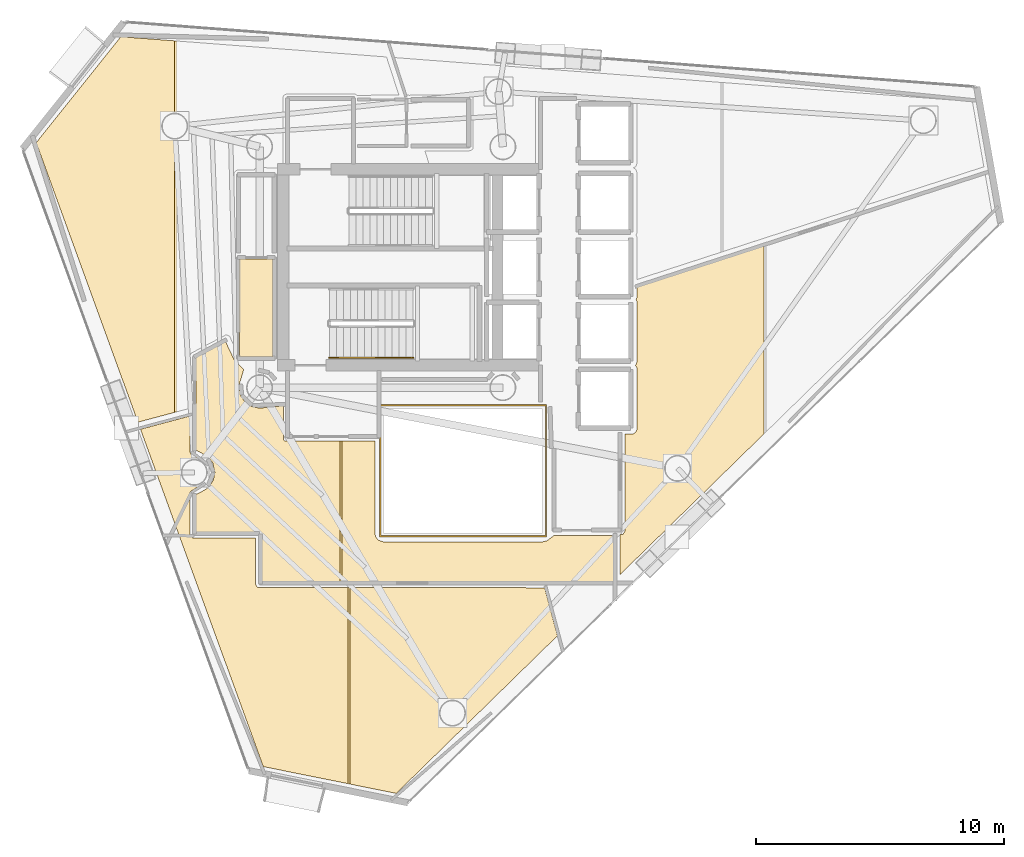
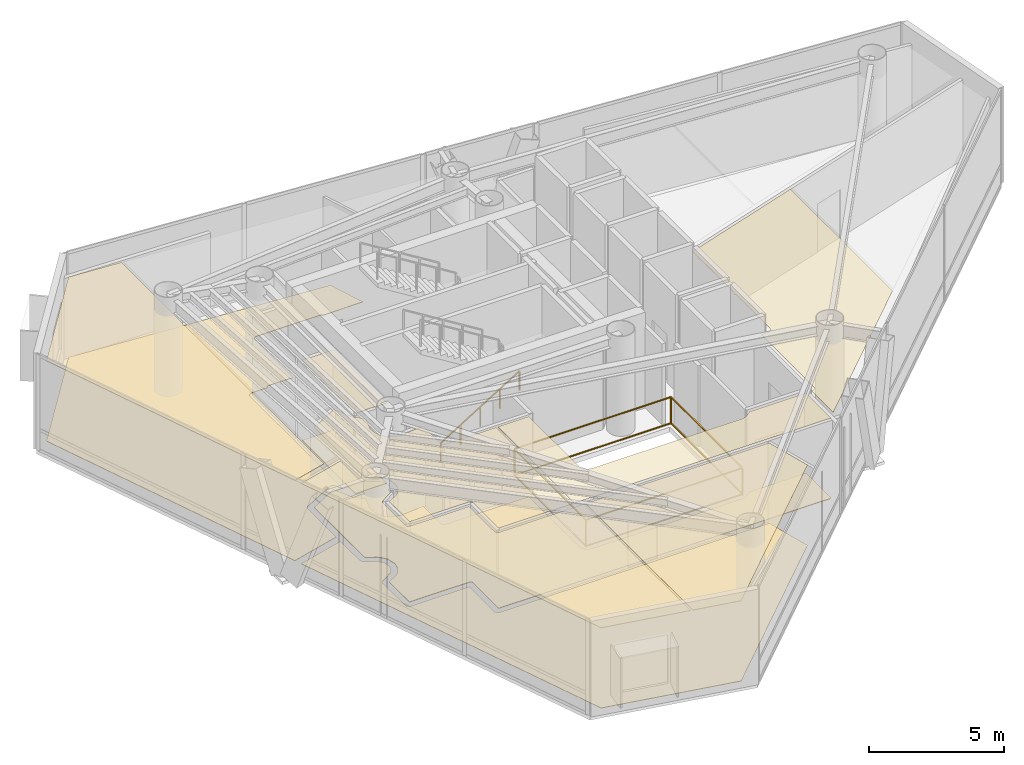
# One storey, part 20 of 21: 11 coverings, 2 railings.
"""IFC4 building model written with IfcOpenShell, lengths in metres."""

from ifc_helpers import new_model, si_unit, direction, frame, origin, origin_2d, place, context, subcontext, project, spatial, polyline, rectangle, outline, extrude, material, layer, layer_set, type_object, element, save


model = new_model("IFC4")

# Units and contexts
model_context = context("Model", 3, precision=1e-05, world=origin(), true_north=direction((0.0, 1.0)))
body_context = subcontext(model_context, "Body", "Model", "MODEL_VIEW")
ifc_project = project(units=[si_unit("LENGTHUNIT", "METRE"), si_unit("AREAUNIT", "SQUARE_METRE"), si_unit("VOLUMEUNIT", "CUBIC_METRE"), si_unit("PLANEANGLEUNIT", "RADIAN"), si_unit("MASSUNIT", "GRAM", prefix="KILO")], contexts=[model_context])

# Site, building, storey
site_placement = place(None, origin())
site = spatial("IfcSite", under=ifc_project, at=site_placement, CompositionType="ELEMENT")
building_placement = place(site_placement, origin())
building = spatial("IfcBuilding", under=site, at=building_placement, Name="Qianvela Tower", CompositionType="ELEMENT")
storey_placement = place(building_placement, frame((0.0, 0.0, 234.5)))
storey = spatial("IfcBuildingStorey", under=building, at=storey_placement, Name="L60", CompositionType="ELEMENT", Elevation=234.5)

# Coverings
ifc_material_1 = material(Name="Perforated Mineral Acoustic Ceiling Tile")
ifc_layer_1 = layer(ifc_material_1, 0.02490234375)
ifc_layer_set_1 = layer_set([ifc_layer_1], Name="Perforated Mineral Acoustic Ceiling Tile")
covering_type_1 = type_object("IfcCoveringType", Name="COV-CEIL-ACOUSTIC-25", PredefinedType="CEILING", material=ifc_layer_set_1)
covering_1_placement = place(storey_placement, frame((0.0, 0.0, 3.614990234375)))
element("IfcCovering", 1, at=covering_1_placement, inside=storey, type_object=covering_type_1, Name="L60 Acoustic Ceiling L60 Core Tea Pantry West", PredefinedType="CEILING", context=body_context, shape_type="SweptSolid", body=[
    extrude(outline(polyline([(27.800048828125, 25.080078125), (27.800048828125, 29.0400390625), (29.139892578125, 29.0400390625), (29.139892578125, 25.080078125), (27.800048828125, 25.080078125)])), origin(), (0.0, 0.0, 1.0), 0.02490234375),
])
covering_2_placement = place(storey_placement, frame((0.0, 0.0, 3.614990234375)))
element("IfcCovering", 2, at=covering_2_placement, inside=storey, type_object=covering_type_1, Name="L60 Acoustic Ceiling Bay 1 L60 Sky Lobby Gallery Corridor", PredefinedType="CEILING", context=body_context, shape_type="SweptSolid", body=[
    extrude(outline(polyline([(27.791015625, 24.010986328125), (27.789794921875, 24.003173828125), (27.775390625, 23.85791015625), (27.77490234375, 23.85009765625), (27.775390625, 23.84228515625), (27.776611328125, 23.83447265625), (27.833251953125, 23.54931640625), (27.835205078125, 23.541748046875), (27.837890625, 23.5341796875), (27.84130859375, 23.527099609375), (27.84521484375, 23.5205078125), (28.006591796875, 23.27880859375), (28.011474609375, 23.2724609375), (28.0166015625, 23.2666015625), (28.0224609375, 23.261474609375), (28.02880859375, 23.256591796875), (28.2705078125, 23.09521484375), (28.277099609375, 23.09130859375), (28.2841796875, 23.087890625), (28.291748046875, 23.085205078125), (28.29931640625, 23.083251953125), (28.58447265625, 23.026611328125), (28.59228515625, 23.025390625), (28.60009765625, 23.02490234375), (28.60791015625, 23.025390625), (29.55810546875, 23.118896484375), (29.55810546875, 21.780029296875), (29.558349609375, 21.772216796875), (29.5595703125, 21.764404296875), (29.561279296875, 21.7568359375), (29.564208984375, 21.74951171875), (29.5673828125, 21.7421875), (29.571533203125, 21.735595703125), (29.576171875, 21.729248046875), (29.581298828125, 21.723388671875), (29.587158203125, 21.71826171875), (29.593505859375, 21.71337890625), (29.600341796875, 21.70947265625), (29.607421875, 21.7060546875), (29.61474609375, 21.703369140625), (29.622314453125, 21.701416015625), (29.630126953125, 21.700439453125), (29.637939453125, 21.699951171875), (31.835693359375, 21.699951171875), (31.835693359375, 16.030029296875), (28.679931640625, 16.030029296875), (28.679931640625, 17.949951171875), (28.6796875, 17.957763671875), (28.678466796875, 17.965576171875), (28.676513671875, 17.97314453125), (28.673828125, 17.980712890625), (28.670654296875, 17.98779296875), (28.66650390625, 17.994384765625), (28.661865234375, 18.000732421875), (28.656494140625, 18.006591796875), (28.65087890625, 18.01171875), (28.644287109375, 18.0166015625), (28.6376953125, 18.0205078125), (28.630615234375, 18.02392578125), (28.623291015625, 18.026611328125), (28.615478515625, 18.028564453125), (28.60791015625, 18.029541015625), (28.60009765625, 18.030029296875), (26.030029296875, 18.030029296875), (26.030029296875, 19.53662109375), (26.423583984375, 19.7470703125), (26.430419921875, 19.7509765625), (26.436767578125, 19.755615234375), (26.549560546875, 19.848388671875), (26.555419921875, 19.853515625), (26.560546875, 19.859619140625), (26.565185546875, 19.86572265625), (26.726806640625, 20.107421875), (26.730712890625, 20.1142578125), (26.734130859375, 20.121337890625), (26.73681640625, 20.128662109375), (26.73876953125, 20.13623046875), (26.79541015625, 20.42138671875), (26.796630859375, 20.4296875), (26.797119140625, 20.437744140625), (26.79638671875, 20.446044921875), (26.795166015625, 20.4541015625), (26.716796875, 20.810546875), (26.71484375, 20.81787109375), (26.712158203125, 20.82470703125), (26.708984375, 20.83154296875), (26.705078125, 20.838134765625), (26.700439453125, 20.843994140625), (26.560546875, 21.014404296875), (26.555419921875, 21.0205078125), (26.549560546875, 21.025634765625), (26.436767578125, 21.118408203125), (26.430419921875, 21.123046875), (26.423583984375, 21.126953125), (26.030029296875, 21.33740234375), (26.030029296875, 25.065673828125), (27.22900390625, 25.70654296875), (27.58837890625, 24.947509765625), (27.591796875, 24.94091796875), (27.59619140625, 24.934814453125), (27.600830078125, 24.928955078125), (27.60595703125, 24.923583984375), (27.96533203125, 24.587158203125), (27.792724609375, 24.0185546875), (27.791015625, 24.010986328125)])), origin(), (0.0, 0.0, 1.0), 0.02490234375),
])
covering_3_placement = place(storey_placement, frame((0.0, 0.0, 3.614990234375)))
element("IfcCovering", 3, at=covering_3_placement, inside=storey, type_object=covering_type_1, Name="L60 Acoustic Ceiling Bay 2 L60 Sky Lobby Gallery Corridor", PredefinedType="CEILING", context=body_context, shape_type="SweptSolid", body=[
    extrude(outline(polyline([(33.239990234375, 21.699951171875), (33.239990234375, 18.0), (33.240478515625, 17.990234375), (33.242431640625, 17.980712890625), (33.275390625, 17.8486328125), (33.277587890625, 17.841064453125), (33.28076171875, 17.833740234375), (33.284423828125, 17.826904296875), (33.288818359375, 17.8203125), (33.293701171875, 17.814208984375), (33.38525390625, 17.71337890625), (33.391357421875, 17.70751953125), (33.398193359375, 17.701904296875), (33.405517578125, 17.697509765625), (33.4130859375, 17.693603515625), (33.421142578125, 17.690673828125), (33.576904296875, 17.643310546875), (33.58447265625, 17.6416015625), (33.59228515625, 17.640380859375), (33.60009765625, 17.639892578125), (40.0, 17.639892578125), (40.006591796875, 17.640380859375), (40.012939453125, 17.64111328125), (40.019287109375, 17.642333984375), (40.1513671875, 17.675537109375), (40.15869140625, 17.677734375), (40.166015625, 17.6806640625), (40.172607421875, 17.68408203125), (40.17919921875, 17.6884765625), (40.459228515625, 17.89306640625), (42.8701171875, 17.89990234375), (42.8701171875, 16.077392578125), (42.8212890625, 16.030029296875), (31.915771484375, 16.030029296875), (31.915771484375, 21.699951171875), (33.239990234375, 21.699951171875)])), origin(), (0.0, 0.0, 1.0), 0.02490234375),
])
covering_4_placement = place(storey_placement, frame((0.0, 0.0, 3.614990234375)))
element("IfcCovering", 4, at=covering_4_placement, inside=storey, type_object=covering_type_1, Name="L60 Acoustic Ceiling Bay 1 L60 Panoramic Sky Lounge", PredefinedType="CEILING", context=body_context, shape_type="SweptSolid", body=[
    extrude(outline(polyline([(26.491455078125, 20.71826171875), (26.553466796875, 20.435302734375), (26.509521484375, 20.21435546875), (26.3818359375, 20.023193359375), (25.830810546875, 19.67529296875), (25.82421875, 19.6708984375), (25.818115234375, 19.66552734375), (25.8125, 19.65966796875), (25.8076171875, 19.6533203125), (25.80322265625, 19.646240234375), (25.7998046875, 19.638916015625), (25.797119140625, 19.63134765625), (25.794921875, 19.62353515625), (25.793701171875, 19.615478515625), (25.79345703125, 19.607421875), (25.79931640625, 17.912109375), (25.7998046875, 17.90380859375), (25.80126953125, 17.895751953125), (25.80322265625, 17.8876953125), (25.80615234375, 17.880126953125), (25.809814453125, 17.872802734375), (25.814208984375, 17.86572265625), (25.8193359375, 17.859375), (25.8251953125, 17.853515625), (25.83154296875, 17.84814453125), (25.83837890625, 17.84375), (25.908935546875, 17.801513671875), (25.91650390625, 17.79736328125), (25.924560546875, 17.794189453125), (25.932861328125, 17.7919921875), (25.94140625, 17.79052734375), (25.949951171875, 17.7900390625), (28.43994140625, 17.7900390625), (28.43994140625, 15.949951171875), (28.4404296875, 15.94140625), (28.44189453125, 15.932861328125), (28.444091796875, 15.924560546875), (28.447265625, 15.91650390625), (28.451416015625, 15.908935546875), (28.49365234375, 15.83837890625), (28.498291015625, 15.83154296875), (28.50341796875, 15.8251953125), (28.509521484375, 15.8193359375), (28.515869140625, 15.814208984375), (28.522705078125, 15.809814453125), (28.5302734375, 15.80615234375), (28.537841796875, 15.80322265625), (28.5458984375, 15.80126953125), (28.553955078125, 15.7998046875), (28.562255859375, 15.79931640625), (32.171630859375, 15.79638671875), (32.171630859375, 7.89697265625), (28.75, 8.5859375), (23.80419921875, 22.1748046875), (25.7900390625, 22.70703125), (25.7900390625, 21.289306640625), (25.790283203125, 21.281494140625), (25.79150390625, 21.273681640625), (25.79345703125, 21.26611328125), (25.796142578125, 21.2587890625), (25.79931640625, 21.251708984375), (25.8349609375, 21.185302734375), (25.839111328125, 21.178466796875), (25.84375, 21.172119140625), (25.84912109375, 21.16650390625), (25.854736328125, 21.1611328125), (25.861083984375, 21.156494140625), (25.867919921875, 21.15234375), (26.292236328125, 20.925048828125), (26.491455078125, 20.71826171875)])), origin(), (0.0, 0.0, 1.0), 0.02490234375),
])
covering_5_placement = place(storey_placement, frame((0.0, 0.0, 3.614990234375)))
element("IfcCovering", 5, at=covering_5_placement, inside=storey, type_object=covering_type_1, Name="L60 Acoustic Ceiling Bay 2 L60 Panoramic Sky Lounge", PredefinedType="CEILING", context=body_context, shape_type="SweptSolid", body=[
    extrude(outline(polyline([(40.08056640625, 15.7900390625), (40.598388671875, 13.856689453125), (34.1044921875, 7.5078125), (32.251708984375, 7.880859375), (32.251708984375, 15.79638671875), (40.08056640625, 15.7900390625)])), origin(), (0.0, 0.0, 1.0), 0.02490234375),
])
covering_6_placement = place(storey_placement, frame((0.0, 0.0, 3.614990234375)))
element("IfcCovering", 6, at=covering_6_placement, inside=storey, type_object=covering_type_1, Name="L60 Acoustic Ceiling Bay 1 L60 Sky Transfer Reception", PredefinedType="CEILING", context=body_context, shape_type="SweptSolid", body=[
    extrude(outline(polyline([(43.2001953125, 17.930419921875), (43.207763671875, 17.931884765625), (43.215087890625, 17.934326171875), (43.222412109375, 17.937255859375), (43.229248046875, 17.94091796875), (43.235595703125, 17.9453125), (43.24169921875, 17.9501953125), (43.2470703125, 17.955810546875), (43.251953125, 17.9619140625), (43.25634765625, 17.96826171875), (43.298583984375, 18.038818359375), (43.302001953125, 18.045166015625), (43.304931640625, 18.0517578125), (43.30712890625, 18.05859375), (43.30859375, 18.065673828125), (43.309814453125, 18.07275390625), (43.31005859375, 18.080078125), (43.309326171875, 21.981201171875), (43.621826171875, 21.986083984375), (43.62939453125, 21.986572265625), (43.63720703125, 21.98779296875), (43.64453125, 21.98974609375), (43.651611328125, 21.9921875), (43.658447265625, 21.99560546875), (43.6650390625, 21.99951171875), (43.732666015625, 22.044677734375), (43.739013671875, 22.04931640625), (43.744873046875, 22.0546875), (43.75, 22.060302734375), (43.754638671875, 22.066650390625), (43.7587890625, 22.073486328125), (43.76220703125, 22.08056640625), (43.793212890625, 22.15576171875), (43.7958984375, 22.1630859375), (43.7978515625, 22.170654296875), (43.798828125, 22.178466796875), (43.79931640625, 22.186279296875), (43.79736328125, 24.62744140625), (43.796875, 24.635986328125), (43.79541015625, 24.64453125), (43.793212890625, 24.65283203125), (43.7900390625, 24.660888671875), (43.785888671875, 24.66845703125), (43.7373046875, 24.749267578125), (43.7353515625, 24.75244140625), (43.740966796875, 24.755615234375), (43.747314453125, 24.760498046875), (43.7529296875, 24.765625), (43.75830078125, 24.771484375), (43.762939453125, 24.77783203125), (43.76708984375, 24.784423828125), (43.770263671875, 24.79150390625), (43.77294921875, 24.799072265625), (43.796630859375, 24.876708984375), (43.798583984375, 24.884521484375), (43.799560546875, 24.89208984375), (43.800048828125, 24.89990234375), (43.800048828125, 27.300048828125), (43.799560546875, 27.30810546875), (43.79833984375, 27.31591796875), (43.79638671875, 27.323486328125), (43.793701171875, 27.3310546875), (43.765625, 27.397705078125), (43.79150390625, 27.45166015625), (43.794189453125, 27.458251953125), (43.79638671875, 27.465087890625), (43.798095703125, 27.471923828125), (43.799072265625, 27.47900390625), (43.79931640625, 27.486083984375), (43.7998046875, 27.88916015625), (48.925537109375, 29.5546875), (48.925537109375, 21.997802734375), (43.109619140625, 16.31201171875), (43.107421875, 17.924560546875), (43.1923828125, 17.9296875), (43.2001953125, 17.930419921875)])), origin(), (0.0, 0.0, 1.0), 0.02490234375),
])
covering_7_placement = place(storey_placement, frame((0.0, 0.0, 3.614990234375)))
element("IfcCovering", 7, at=covering_7_placement, inside=storey, type_object=covering_type_1, Name="L60 Acoustic Ceiling Bay 1 L60 Shared Sky Kitchen and Cafe", PredefinedType="CEILING", context=body_context, shape_type="SweptSolid", body=[
    extrude(outline(polyline([(23.701171875, 22.4580078125), (19.603759765625, 33.7158203125), (23.01220703125, 37.9833984375), (25.1708984375, 37.819091796875), (25.1708984375, 22.851806640625), (23.701171875, 22.4580078125)])), origin(), (0.0, 0.0, 1.0), 0.02490234375),
])
ifc_material_2 = material(Name="Engineered Acoustic Oak Timber Flooring", Category="wood")
ifc_layer_2 = layer(ifc_material_2, 0.02001953125)
ifc_layer_set_2 = layer_set([ifc_layer_2], Name="Engineered Acoustic Oak Timber Flooring")
covering_type_2 = type_object("IfcCoveringType", Name="COV-FLOOR-OAK-20", PredefinedType="FLOORING", material=ifc_layer_set_2)
covering_8_placement = place(storey_placement, origin())
element("IfcCovering", 8, at=covering_8_placement, inside=storey, type_object=covering_type_2, Name="L60 Finish Flooring L60 Core Tea Pantry West", PredefinedType="FLOORING", context=body_context, shape_type="SweptSolid", body=[
    extrude(outline(polyline([(27.800048828125, 25.080078125), (27.800048828125, 29.0400390625), (29.139892578125, 29.0400390625), (29.139892578125, 25.080078125), (27.800048828125, 25.080078125)])), origin(), (0.0, 0.0, 1.0), 0.02001953125),
])
covering_9_placement = place(storey_placement, origin())
element("IfcCovering", 9, at=covering_9_placement, inside=storey, type_object=covering_type_2, Name="L60 Finish Flooring L60 Panoramic Sky Lounge", PredefinedType="FLOORING", context=body_context, shape_type="SweptSolid", body=[
    extrude(outline(polyline([(26.292236328125, 20.925048828125), (26.491455078125, 20.71826171875), (26.553466796875, 20.435302734375), (26.509521484375, 20.21435546875), (26.3818359375, 20.023193359375), (25.830810546875, 19.67529296875), (25.82421875, 19.6708984375), (25.818115234375, 19.66552734375), (25.8125, 19.65966796875), (25.8076171875, 19.6533203125), (25.80322265625, 19.646240234375), (25.7998046875, 19.638916015625), (25.797119140625, 19.63134765625), (25.794921875, 19.62353515625), (25.793701171875, 19.615478515625), (25.79345703125, 19.607421875), (25.79931640625, 17.912109375), (25.7998046875, 17.90380859375), (25.80126953125, 17.895751953125), (25.80322265625, 17.8876953125), (25.80615234375, 17.880126953125), (25.809814453125, 17.872802734375), (25.814208984375, 17.86572265625), (25.8193359375, 17.859375), (25.8251953125, 17.853515625), (25.83154296875, 17.84814453125), (25.83837890625, 17.84375), (25.908935546875, 17.801513671875), (25.91650390625, 17.79736328125), (25.924560546875, 17.794189453125), (25.932861328125, 17.7919921875), (25.94140625, 17.79052734375), (25.949951171875, 17.7900390625), (28.43994140625, 17.7900390625), (28.43994140625, 15.949951171875), (28.4404296875, 15.94140625), (28.44189453125, 15.932861328125), (28.444091796875, 15.924560546875), (28.447265625, 15.91650390625), (28.451416015625, 15.908935546875), (28.49365234375, 15.83837890625), (28.498291015625, 15.83154296875), (28.50341796875, 15.8251953125), (28.509521484375, 15.8193359375), (28.515869140625, 15.814208984375), (28.522705078125, 15.809814453125), (28.5302734375, 15.80615234375), (28.537841796875, 15.80322265625), (28.5458984375, 15.80126953125), (28.553955078125, 15.7998046875), (28.562255859375, 15.79931640625), (40.08056640625, 15.7900390625), (40.598388671875, 13.856689453125), (34.1044921875, 7.5078125), (28.75, 8.5859375), (23.80419921875, 22.1748046875), (25.7900390625, 22.70703125), (25.7900390625, 21.289306640625), (25.790283203125, 21.281494140625), (25.79150390625, 21.273681640625), (25.79345703125, 21.26611328125), (25.796142578125, 21.2587890625), (25.79931640625, 21.251708984375), (25.8349609375, 21.185302734375), (25.839111328125, 21.178466796875), (25.84375, 21.172119140625), (25.84912109375, 21.16650390625), (25.854736328125, 21.1611328125), (25.861083984375, 21.156494140625), (25.867919921875, 21.15234375), (26.292236328125, 20.925048828125)])), origin(), (0.0, 0.0, 1.0), 0.02001953125),
])
covering_10_placement = place(storey_placement, origin())
element("IfcCovering", 10, at=covering_10_placement, inside=storey, type_object=covering_type_2, Name="L60 Finish Flooring L60 Shared Sky Kitchen and Cafe", PredefinedType="FLOORING", context=body_context, shape_type="SweptSolid", body=[
    extrude(outline(polyline([(27.58642578125, 29.199951171875), (27.566162109375, 29.150634765625), (27.5634765625, 29.143310546875), (27.5615234375, 29.135498046875), (27.560302734375, 29.127685546875), (27.56005859375, 29.1201171875), (27.56005859375, 25.567626953125), (27.406005859375, 25.892333984375), (27.402099609375, 25.8994140625), (27.397705078125, 25.906005859375), (27.392578125, 25.912353515625), (27.38671875, 25.91796875), (27.38037109375, 25.923095703125), (27.37353515625, 25.927490234375), (27.306396484375, 25.966064453125), (27.29931640625, 25.969482421875), (27.291748046875, 25.972412109375), (27.283935546875, 25.974609375), (27.27587890625, 25.97607421875), (27.26806640625, 25.9765625), (27.260009765625, 25.976318359375), (27.251953125, 25.97509765625), (27.244140625, 25.973388671875), (27.236572265625, 25.970703125), (27.229248046875, 25.96728515625), (25.868408203125, 25.2509765625), (25.861572265625, 25.246826171875), (25.85498046875, 25.2421875), (25.84912109375, 25.23681640625), (25.84375, 25.23095703125), (25.839111328125, 25.224609375), (25.8349609375, 25.2177734375), (25.79931640625, 25.1513671875), (25.796142578125, 25.144287109375), (25.79345703125, 25.13671875), (25.79150390625, 25.129150390625), (25.790283203125, 25.121337890625), (25.7900390625, 25.113525390625), (25.7900390625, 23.017578125), (23.701171875, 22.4580078125), (19.603759765625, 33.7158203125), (23.01220703125, 37.9833984375), (33.71337890625, 37.168701171875), (34.21044921875, 35.638916015625), (32.5244140625, 35.620361328125), (32.468994140625, 35.6630859375), (32.462890625, 35.66748046875), (32.456298828125, 35.67138671875), (32.449462890625, 35.67431640625), (32.4423828125, 35.6767578125), (32.43505859375, 35.6787109375), (32.427490234375, 35.6796875), (32.419921875, 35.679931640625), (29.699951171875, 35.679931640625), (29.692138671875, 35.6796875), (29.684326171875, 35.678466796875), (29.6767578125, 35.676513671875), (29.66943359375, 35.673828125), (29.662353515625, 35.670654296875), (29.595703125, 35.635009765625), (29.589111328125, 35.631103515625), (29.582763671875, 35.626220703125), (29.576904296875, 35.62109375), (29.57177734375, 35.615234375), (29.567138671875, 35.60888671875), (29.56298828125, 35.602294921875), (29.559814453125, 35.59521484375), (29.556884765625, 35.587890625), (29.55517578125, 35.580322265625), (29.553955078125, 35.572509765625), (29.553466796875, 35.564697265625), (29.540283203125, 32.700439453125), (28.54296875, 32.709716796875), (28.53662109375, 32.70947265625), (28.530029296875, 32.708740234375), (28.4677734375, 32.69921875), (28.460205078125, 32.697509765625), (28.452880859375, 32.6953125), (28.446044921875, 32.6923828125), (28.439208984375, 32.688720703125), (28.432861328125, 32.6845703125), (28.427001953125, 32.6796875), (28.42138671875, 32.674560546875), (28.41650390625, 32.668701171875), (28.412109375, 32.662353515625), (28.408447265625, 32.65576171875), (28.405517578125, 32.648681640625), (28.403076171875, 32.6416015625), (28.4013671875, 32.634033203125), (28.400390625, 32.62646484375), (28.39892578125, 32.610107421875), (27.712158203125, 32.609619140625), (27.70361328125, 32.609130859375), (27.6953125, 32.60791015625), (27.687255859375, 32.605712890625), (27.679443359375, 32.6025390625), (27.672119140625, 32.598876953125), (27.664794921875, 32.59423828125), (27.658447265625, 32.5888671875), (27.587890625, 32.52490234375), (27.581787109375, 32.51904296875), (27.57666015625, 32.512451171875), (27.572265625, 32.505615234375), (27.568359375, 32.498046875), (27.5654296875, 32.490234375), (27.563232421875, 32.482177734375), (27.56201171875, 32.47412109375), (27.5615234375, 32.465576171875), (27.56005859375, 29.280029296875), (27.560302734375, 29.272216796875), (27.5615234375, 29.264404296875), (27.5634765625, 29.2568359375), (27.566162109375, 29.24951171875), (27.58642578125, 29.199951171875)])), origin(), (0.0, 0.0, 1.0), 0.02001953125),
])
ifc_material_3 = material(Name="Honed Stone Terrazzo Flooring", Category="masonry")
ifc_layer_3 = layer(ifc_material_3, 0.030029296875)
ifc_layer_set_3 = layer_set([ifc_layer_3], Name="Honed Stone Terrazzo Flooring")
covering_type_3 = type_object("IfcCoveringType", Name="COV-FLOOR-TERRAZZO-30", PredefinedType="FLOORING", material=ifc_layer_set_3)
covering_11_placement = place(storey_placement, origin())
element("IfcCovering", 11, at=covering_11_placement, inside=storey, type_object=covering_type_3, Name="L60 Finish Flooring L60 Sky Lobby Gallery Corridor", PredefinedType="FLOORING", context=body_context, shape_type="SweptSolid", body=[
    extrude(outline(polyline([(27.792724609375, 24.0185546875), (27.791015625, 24.010986328125), (27.789794921875, 24.003173828125), (27.775390625, 23.85791015625), (27.77490234375, 23.85009765625), (27.775390625, 23.84228515625), (27.776611328125, 23.83447265625), (27.833251953125, 23.54931640625), (27.835205078125, 23.541748046875), (27.837890625, 23.5341796875), (27.84130859375, 23.527099609375), (27.84521484375, 23.5205078125), (28.006591796875, 23.27880859375), (28.011474609375, 23.2724609375), (28.0166015625, 23.2666015625), (28.0224609375, 23.261474609375), (28.02880859375, 23.256591796875), (28.2705078125, 23.09521484375), (28.277099609375, 23.09130859375), (28.2841796875, 23.087890625), (28.291748046875, 23.085205078125), (28.29931640625, 23.083251953125), (28.58447265625, 23.026611328125), (28.59228515625, 23.025390625), (28.60009765625, 23.02490234375), (28.60791015625, 23.025390625), (29.55810546875, 23.118896484375), (29.55810546875, 21.780029296875), (29.558349609375, 21.772216796875), (29.5595703125, 21.764404296875), (29.561279296875, 21.7568359375), (29.564208984375, 21.74951171875), (29.5673828125, 21.7421875), (29.571533203125, 21.735595703125), (29.576171875, 21.729248046875), (29.581298828125, 21.723388671875), (29.587158203125, 21.71826171875), (29.593505859375, 21.71337890625), (29.600341796875, 21.70947265625), (29.607421875, 21.7060546875), (29.61474609375, 21.703369140625), (29.622314453125, 21.701416015625), (29.630126953125, 21.700439453125), (29.637939453125, 21.699951171875), (33.239990234375, 21.699951171875), (33.239990234375, 18.0), (33.240478515625, 17.990234375), (33.242431640625, 17.980712890625), (33.275390625, 17.8486328125), (33.277587890625, 17.841064453125), (33.28076171875, 17.833740234375), (33.284423828125, 17.826904296875), (33.288818359375, 17.8203125), (33.293701171875, 17.814208984375), (33.38525390625, 17.71337890625), (33.391357421875, 17.70751953125), (33.398193359375, 17.701904296875), (33.405517578125, 17.697509765625), (33.4130859375, 17.693603515625), (33.421142578125, 17.690673828125), (33.576904296875, 17.643310546875), (33.58447265625, 17.6416015625), (33.59228515625, 17.640380859375), (33.60009765625, 17.639892578125), (40.0, 17.639892578125), (40.006591796875, 17.640380859375), (40.012939453125, 17.64111328125), (40.019287109375, 17.642333984375), (40.1513671875, 17.675537109375), (40.15869140625, 17.677734375), (40.166015625, 17.6806640625), (40.172607421875, 17.68408203125), (40.17919921875, 17.6884765625), (40.459228515625, 17.89306640625), (42.8701171875, 17.89990234375), (42.8701171875, 16.077392578125), (42.8212890625, 16.030029296875), (28.679931640625, 16.030029296875), (28.679931640625, 17.949951171875), (28.6796875, 17.957763671875), (28.678466796875, 17.965576171875), (28.676513671875, 17.97314453125), (28.673828125, 17.980712890625), (28.670654296875, 17.98779296875), (28.66650390625, 17.994384765625), (28.661865234375, 18.000732421875), (28.656494140625, 18.006591796875), (28.65087890625, 18.01171875), (28.644287109375, 18.0166015625), (28.6376953125, 18.0205078125), (28.630615234375, 18.02392578125), (28.623291015625, 18.026611328125), (28.615478515625, 18.028564453125), (28.60791015625, 18.029541015625), (28.60009765625, 18.030029296875), (26.030029296875, 18.030029296875), (26.030029296875, 19.53662109375), (26.423583984375, 19.7470703125), (26.430419921875, 19.7509765625), (26.436767578125, 19.755615234375), (26.549560546875, 19.848388671875), (26.555419921875, 19.853515625), (26.560546875, 19.859619140625), (26.565185546875, 19.86572265625), (26.726806640625, 20.107421875), (26.730712890625, 20.1142578125), (26.734130859375, 20.121337890625), (26.73681640625, 20.128662109375), (26.73876953125, 20.13623046875), (26.79541015625, 20.42138671875), (26.796630859375, 20.4296875), (26.797119140625, 20.437744140625), (26.79638671875, 20.446044921875), (26.795166015625, 20.4541015625), (26.716796875, 20.810546875), (26.71484375, 20.81787109375), (26.712158203125, 20.82470703125), (26.708984375, 20.83154296875), (26.705078125, 20.838134765625), (26.700439453125, 20.843994140625), (26.560546875, 21.014404296875), (26.555419921875, 21.0205078125), (26.549560546875, 21.025634765625), (26.436767578125, 21.118408203125), (26.430419921875, 21.123046875), (26.423583984375, 21.126953125), (26.030029296875, 21.33740234375), (26.030029296875, 25.065673828125), (27.22900390625, 25.70654296875), (27.58837890625, 24.947509765625), (27.591796875, 24.94091796875), (27.59619140625, 24.934814453125), (27.600830078125, 24.928955078125), (27.60595703125, 24.923583984375), (27.96533203125, 24.587158203125), (27.792724609375, 24.0185546875)])), origin(), (0.0, 0.0, 1.0), 0.030029296875),
])

# Railings
ifc_material_4 = material(Name="Laminated Safety Glass and Stainless Steel 316", Category="steel")
railing_type_1 = type_object("IfcRailingType", Name="RL-ATRIUM-GUARD-1250", PredefinedType="GUARDRAIL", material=ifc_material_4)
railing_1_placement = place(storey_placement, frame((33.4599609375, 17.860107421875, 0.0)))
element("IfcRailing", 12, at=railing_1_placement, inside=storey, type_object=railing_type_1, Name="L60 Atrium Edge Guardrail 1", PredefinedType="GUARDRAIL", context=body_context, shape_type="SweptSolid", body=[
    extrude(rectangle(XDim=0.050048828125, YDim=0.0400390625, at=origin_2d()), frame((0.0, 0.0, 1.22998046875), z_axis=(0.0, 1.0, 0.0), x_axis=(-1.0, 0.0, 0.0)), (0.0, 0.0, 1.0), 5.27978515625),
    extrude(rectangle(XDim=0.050048828125, YDim=0.0400390625, at=origin_2d()), frame((0.0, 0.0, 0.050048828125), z_axis=(0.0, 1.0, 0.0), x_axis=(-1.0, 0.0, 0.0)), (0.0, 0.0, 1.0), 5.27978515625),
    extrude(rectangle(XDim=0.050048828125, YDim=0.0400390625, at=origin_2d()), frame((0.0, 5.27978515625, 1.22998046875), z_axis=(1.0, 0.0, 0.0), x_axis=(0.0, 1.0, 0.0)), (0.0, 0.0, 1.0), 6.679931640625),
    extrude(rectangle(XDim=0.050048828125, YDim=0.0400390625, at=origin_2d()), frame((0.0, 5.27978515625, 0.050048828125), z_axis=(1.0, 0.0, 0.0), x_axis=(0.0, 1.0, 0.0)), (0.0, 0.0, 1.0), 6.679931640625),
    extrude(rectangle(XDim=0.050048828125, YDim=0.0400390625, at=origin_2d()), frame((6.679931640625, 5.27978515625, 1.22998046875), z_axis=(0.0, -1.0, 0.0), x_axis=(1.0, 0.0, 0.0)), (0.0, 0.0, 1.0), 5.27978515625),
    extrude(rectangle(XDim=0.050048828125, YDim=0.0400390625, at=origin_2d()), frame((6.679931640625, 5.27978515625, 0.050048828125), z_axis=(0.0, -1.0, 0.0), x_axis=(1.0, 0.0, 0.0)), (0.0, 0.0, 1.0), 5.27978515625),
    extrude(rectangle(XDim=0.050048828125, YDim=0.0400390625, at=origin_2d()), frame((6.679931640625, 0.0, 1.22998046875), z_axis=(-1.0, 0.0, 0.0), x_axis=(0.0, -1.0, 0.0)), (0.0, 0.0, 1.0), 6.679931640625),
    extrude(rectangle(XDim=0.050048828125, YDim=0.0400390625, at=origin_2d()), frame((6.679931640625, 0.0, 0.050048828125), z_axis=(-1.0, 0.0, 0.0), x_axis=(0.0, -1.0, 0.0)), (0.0, 0.0, 1.0), 6.679931640625),
    extrude(rectangle(XDim=0.050048828125, YDim=0.050048828125, at=origin_2d()), origin(), (0.0, 0.0, 1.0), 1.2099609375),
    extrude(rectangle(XDim=0.050048828125, YDim=0.050048828125, at=origin_2d()), frame((0.0, 5.27978515625, 0.0)), (0.0, 0.0, 1.0), 1.2099609375),
    extrude(rectangle(XDim=0.050048828125, YDim=0.050048828125, at=origin_2d()), frame((6.679931640625, 5.27978515625, 0.0)), (0.0, 0.0, 1.0), 1.2099609375),
    extrude(rectangle(XDim=0.050048828125, YDim=0.050048828125, at=origin_2d()), frame((6.679931640625, 0.0, 0.0)), (0.0, 0.0, 1.0), 1.2099609375),
])
ifc_material_5 = material(Name="Brushed Stainless Steel 304", Category="steel")
railing_type_2 = type_object("IfcRailingType", Name="RL-STAIR-HANDRAIL-900", PredefinedType="HANDRAIL", material=ifc_material_5)
railing_2_placement = place(storey_placement, frame((31.419921875, 25.050048828125, 0.173095703125)))
element("IfcRailing", 13, at=railing_2_placement, inside=storey, type_object=railing_type_2, Name="L60 ST-2 stair handrail 1", PredefinedType="HANDRAIL", context=body_context, shape_type="SweptSolid", body=[
    extrude(rectangle(XDim=0.050048828125, YDim=0.0400390625, at=origin_2d()), frame((0.0, 0.0, 0.8798828125), z_axis=(0.850623216509, 0.0, 0.525775754039), x_axis=(0.0, 1.0, 0.0)), (0.0, 0.0, 1.0), 3.9501953125),
    extrude(rectangle(XDim=0.050048828125, YDim=0.050048828125, at=origin_2d()), origin(), (0.0, 0.0, 1.0), 0.85986328125),
    extrude(rectangle(XDim=0.050048828125, YDim=0.050048828125, at=origin_2d()), frame((0.840087890625, 0.0, 0.519287109375)), (0.0, 0.0, 1.0), 0.85986328125),
    extrude(rectangle(XDim=0.050048828125, YDim=0.050048828125, at=origin_2d()), frame((1.68017578125, 0.0, 1.03857421875)), (0.0, 0.0, 1.0), 0.85986328125),
    extrude(rectangle(XDim=0.050048828125, YDim=0.050048828125, at=origin_2d()), frame((2.52001953125, 0.0, 1.5576171875)), (0.0, 0.0, 1.0), 0.85986328125),
    extrude(rectangle(XDim=0.050048828125, YDim=0.050048828125, at=origin_2d()), frame((3.360107421875, 0.0, 2.076904296875)), (0.0, 0.0, 1.0), 0.85986328125),
])

save(model, "model.ifc")
